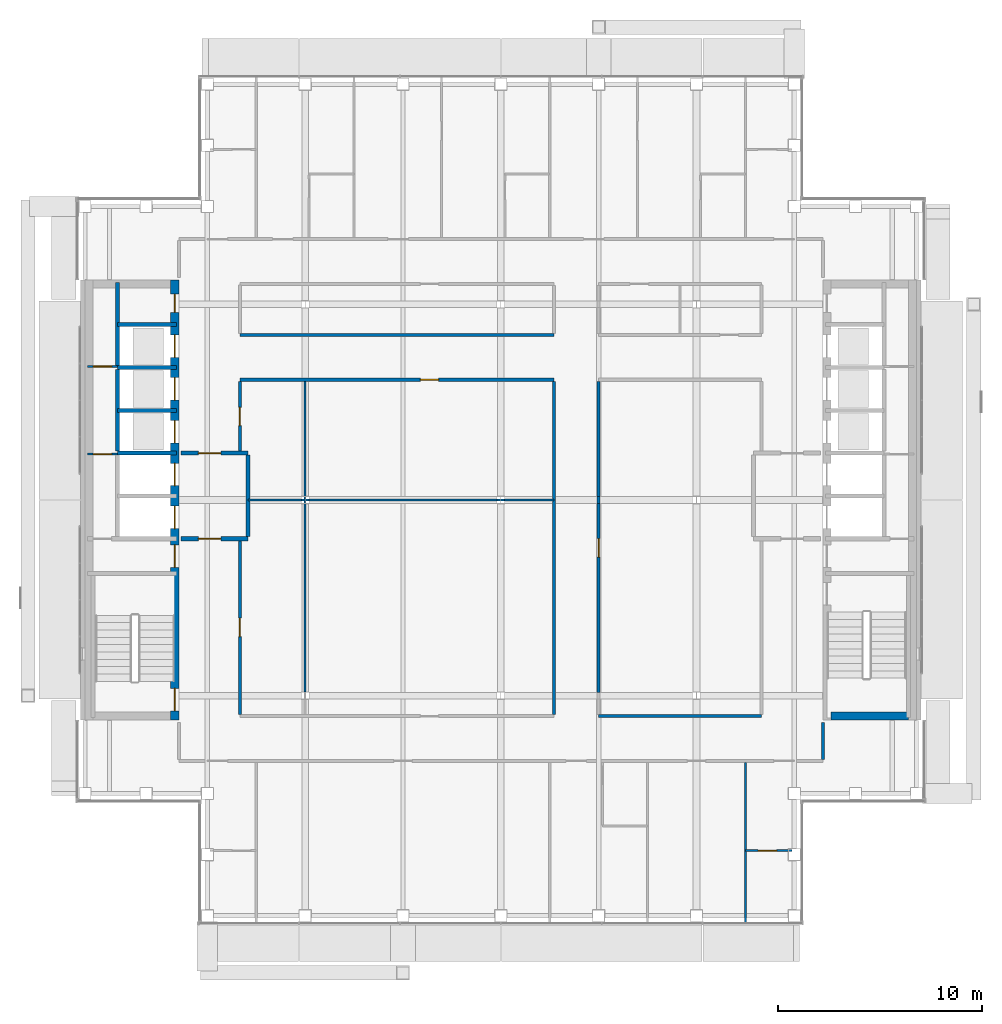
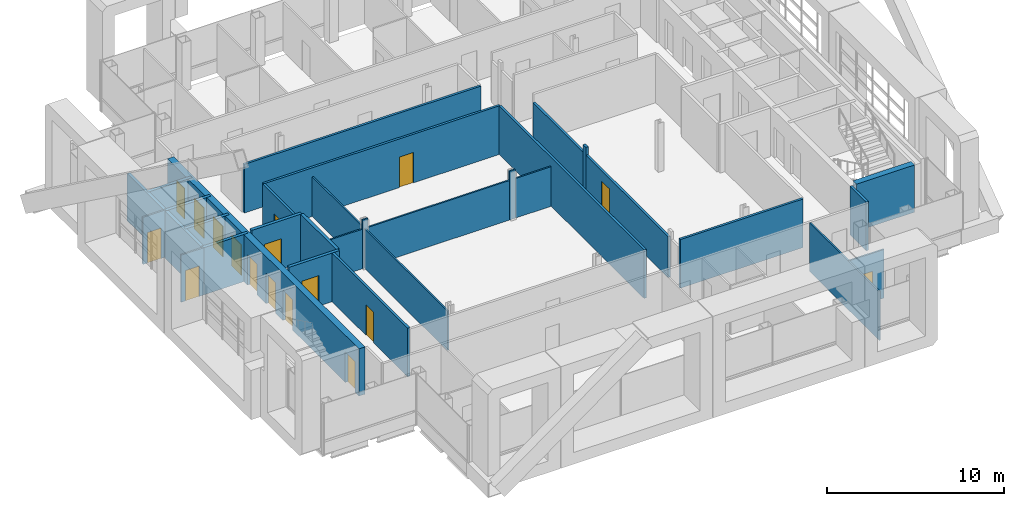
# One storey, part 12 of 23: 32 walls, 17 doors, 17 openings.
"""IFC4 building model written with IfcOpenShell, lengths in metres."""

from ifc_helpers import new_model, si_unit, direction, frame, frame_2d, origin, place, context, subcontext, project, spatial, rectangle, extrude, material, layer, layer_set, type_object, element, fill, save


model = new_model("IFC4")

# Units and contexts
model_context = context("Model", 3, precision=1e-05, world=origin(), true_north=direction((0.0, 1.0)))
body_context = subcontext(model_context, "Body", "Model", "MODEL_VIEW")
ifc_project = project(units=[si_unit("LENGTHUNIT", "METRE"), si_unit("AREAUNIT", "SQUARE_METRE"), si_unit("VOLUMEUNIT", "CUBIC_METRE"), si_unit("PLANEANGLEUNIT", "RADIAN"), si_unit("MASSUNIT", "GRAM", prefix="KILO")], contexts=[model_context])

# Site, building, storey
site_placement = place(None, origin())
site = spatial("IfcSite", under=ifc_project, at=site_placement, CompositionType="ELEMENT")
building_placement = place(site_placement, origin())
building = spatial("IfcBuilding", under=site, at=building_placement, Name="Cobrizo Arcos Hotel Tower", CompositionType="ELEMENT")
storey_placement = place(building_placement, frame((0.0, 0.0, 255.0)))
storey = spatial("IfcBuildingStorey", under=building, at=storey_placement, Name="L67", CompositionType="ELEMENT", Elevation=255.0)

# Wall
ifc_material_1 = material(Name="Gypsum board partition")
ifc_layer_1 = layer(ifc_material_1, 0.14990234375)
ifc_layer_set_1 = layer_set([ifc_layer_1], Name="Corridor wall EI 60 150")
wall_type_1 = type_object("IfcWallType", Name="Corridor wall EI 60 150", PredefinedType="PARTITIONING", material=ifc_layer_set_1)
wall_1_placement = place(storey_placement, frame((4.800048828125, -10.60009765625, 0.0), z_axis=(0.0, 0.0, 1.0), x_axis=(1.0, 0.0, 0.0)))
element("IfcWall", 1, at=wall_1_placement, inside=storey, type_object=wall_type_1, Name="Partition 006", PredefinedType="PARTITIONING", context=body_context, shape_type="SweptSolid", body=[
    extrude(rectangle(XDim=8.0, YDim=0.14990234375, at=frame_2d((4.0, 0.0))), origin(), (0.0, 0.0, 1.0), 3.35009765625),
])

# Wall, opening, door
wall_2_placement = place(storey_placement, frame((-12.800048828125, 5.89990234375, 0.0), z_axis=(0.0, 0.0, 1.0), x_axis=(1.0, 0.0, 0.0)))
wall_2 = element("IfcWall", 2, at=wall_2_placement, inside=storey, type_object=wall_type_1, Name="Partition 028", PredefinedType="PARTITIONING", context=body_context, shape_type="SweptSolid", body=[
    extrude(rectangle(XDim=15.400146484375, YDim=0.14990234375, at=frame_2d((7.7001953125, 0.0))), origin(), (0.0, 0.0, 1.0), 3.35009765625),
])
opening_1_placement = place(wall_2_placement, frame((8.85009765625, 0.0, 0.0)))
opening_1 = element("IfcOpeningElement", 3, at=opening_1_placement, cuts=wall_2, Name="Opening RD-15", PredefinedType="OPENING", context=body_context, shape_type="SweptSolid", body=[
    extrude(rectangle(XDim=0.89990234375, YDim=2.10009765625, at=frame_2d((0.449951171875, 1.050048828125))), frame((0.0, 0.0869140625, 0.0), z_axis=(0.0, -1.0, 0.0), x_axis=(1.0, 0.0, 0.0)), (0.0, 0.0, 1.0), 0.173828125),
])
ifc_material_2 = material(Name="Timber door leaf", Category="wood")
door_type_1 = type_object("IfcDoorType", Name="Room door FD30 900x2100", OperationType="SINGLE_SWING_LEFT", PredefinedType="DOOR", material=ifc_material_2)
door_1_placement = place(opening_1_placement, origin())
door_1 = element("IfcDoor", 4, at=door_1_placement, inside=storey, type_object=door_type_1, Name="Door RD-15", OperationType="SINGLE_SWING_RIGHT", OverallHeight=2.10009765625, OverallWidth=0.89990234375, PredefinedType="DOOR", context=body_context, shape_type="SweptSolid", body=[
    extrude(rectangle(XDim=0.89990234375, YDim=2.10009765625, at=frame_2d((0.449951171875, 1.050048828125))), frame((0.0, 0.02490234375, 0.0), z_axis=(0.0, -1.0, 0.0), x_axis=(1.0, 0.0, 0.0)), (0.0, 0.0, 1.0), 0.050048828125),
])
fill(opening_1, door_1)

# Wall
wall_3_placement = place(storey_placement, frame((-12.800048828125, 8.10009765625, 0.0), z_axis=(0.0, 0.0, 1.0), x_axis=(1.0, 0.0, 0.0)))
element("IfcWall", 5, at=wall_3_placement, inside=storey, type_object=wall_type_1, Name="Partition 034", PredefinedType="PARTITIONING", context=body_context, shape_type="SweptSolid", body=[
    extrude(rectangle(XDim=15.400146484375, YDim=0.14990234375, at=frame_2d((7.7001953125, 0.0))), origin(), (0.0, 0.0, 1.0), 3.35009765625),
])

# Wall, opening, door
wall_4_placement = place(storey_placement, frame((-12.800048828125, -10.52490234375, 0.0), z_axis=(0.0, 0.0, 1.0), x_axis=(0.0, 1.0, 0.0)))
wall_4 = element("IfcWall", 6, at=wall_4_placement, inside=storey, type_object=wall_type_1, Name="Partition 052", PredefinedType="PARTITIONING", context=body_context, shape_type="SweptSolid", body=[
    extrude(rectangle(XDim=8.52490234375, YDim=0.14990234375, at=frame_2d((4.262451171875, 0.0))), origin(), (0.0, 0.0, 1.0), 3.35009765625),
])
opening_2_placement = place(wall_4_placement, frame((3.824951171875, 0.0, 0.0)))
opening_2 = element("IfcOpeningElement", 7, at=opening_2_placement, cuts=wall_4, Name="Opening RD-13", PredefinedType="OPENING", context=body_context, shape_type="SweptSolid", body=[
    extrude(rectangle(XDim=0.89990234375, YDim=2.10009765625, at=frame_2d((0.449951171875, 1.050048828125))), frame((0.0, 0.0869140625, 0.0), z_axis=(0.0, -1.0, 0.0), x_axis=(1.0, 0.0, 0.0)), (0.0, 0.0, 1.0), 0.173828125),
])
door_2_placement = place(opening_2_placement, origin())
door_2 = element("IfcDoor", 8, at=door_2_placement, inside=storey, type_object=door_type_1, Name="Door RD-13", OperationType="SINGLE_SWING_LEFT", OverallHeight=2.10009765625, OverallWidth=0.89990234375, PredefinedType="DOOR", context=body_context, shape_type="SweptSolid", body=[
    extrude(rectangle(XDim=0.89990234375, YDim=2.10009765625, at=frame_2d((0.449951171875, 1.050048828125))), frame((0.0, 0.02490234375, 0.0), z_axis=(0.0, -1.0, 0.0), x_axis=(1.0, 0.0, 0.0)), (0.0, 0.0, 1.0), 0.050048828125),
])
fill(opening_2, door_2)

wall_5_placement = place(storey_placement, frame((-12.800048828125, 2.39990234375, 0.0), z_axis=(0.0, 0.0, 1.0), x_axis=(0.0, 1.0, 0.0)))
wall_5 = element("IfcWall", 9, at=wall_5_placement, inside=storey, type_object=wall_type_1, Name="Partition 053", PredefinedType="PARTITIONING", context=body_context, shape_type="SweptSolid", body=[
    extrude(rectangle(XDim=3.425048828125, YDim=0.14990234375, at=frame_2d((1.71240234375, 0.0))), origin(), (0.0, 0.0, 1.0), 3.35009765625),
])
opening_3_placement = place(wall_5_placement, frame((1.25, 0.0, 0.0)))
opening_3 = element("IfcOpeningElement", 10, at=opening_3_placement, cuts=wall_5, Name="Opening RD-12", PredefinedType="OPENING", context=body_context, shape_type="SweptSolid", body=[
    extrude(rectangle(XDim=0.89990234375, YDim=2.10009765625, at=frame_2d((0.449951171875, 1.050048828125))), frame((0.0, 0.0869140625, 0.0), z_axis=(0.0, -1.0, 0.0), x_axis=(1.0, 0.0, 0.0)), (0.0, 0.0, 1.0), 0.173828125),
])
door_3_placement = place(opening_3_placement, origin())
door_3 = element("IfcDoor", 11, at=door_3_placement, inside=storey, type_object=door_type_1, Name="Door RD-12", OperationType="SINGLE_SWING_RIGHT", OverallHeight=2.10009765625, OverallWidth=0.89990234375, PredefinedType="DOOR", context=body_context, shape_type="SweptSolid", body=[
    extrude(rectangle(XDim=0.89990234375, YDim=2.10009765625, at=frame_2d((0.449951171875, 1.050048828125))), frame((0.0, 0.02490234375, 0.0), z_axis=(0.0, -1.0, 0.0), x_axis=(1.0, 0.0, 0.0)), (0.0, 0.0, 1.0), 0.050048828125),
])
fill(opening_3, door_3)

# Wall
wall_6_placement = place(storey_placement, frame((2.60009765625, -10.52490234375, 0.0), z_axis=(0.0, 0.0, 1.0), x_axis=(0.0, 1.0, 0.0)))
element("IfcWall", 12, at=wall_6_placement, inside=storey, type_object=wall_type_1, Name="Partition 068", PredefinedType="PARTITIONING", context=body_context, shape_type="SweptSolid", body=[
    extrude(rectangle(XDim=16.349853515625, YDim=0.14990234375, at=frame_2d((8.1748046875, 0.0))), origin(), (0.0, 0.0, 1.0), 3.35009765625),
])

# Wall, opening, door
wall_7_placement = place(storey_placement, frame((4.800048828125, -9.43603515625, 0.0), z_axis=(0.0, 0.0, 1.0), x_axis=(0.0, 1.0, 0.0)))
wall_7 = element("IfcWall", 13, at=wall_7_placement, inside=storey, type_object=wall_type_1, Name="Partition 072", PredefinedType="PARTITIONING", context=body_context, shape_type="SweptSolid", body=[
    extrude(rectangle(XDim=9.27197265625, YDim=0.14990234375, at=frame_2d((4.635986328125, 0.0))), origin(), (0.0, 0.0, 1.0), 2.81689453125),
])
opening_4_placement = place(wall_7_placement, frame((6.635986328125, 0.0, 0.0)))
opening_4 = element("IfcOpeningElement", 14, at=opening_4_placement, cuts=wall_7, Name="Opening RD-17", PredefinedType="OPENING", context=body_context, shape_type="SweptSolid", body=[
    extrude(rectangle(XDim=0.89990234375, YDim=2.10009765625, at=frame_2d((0.449951171875, 1.050048828125))), frame((0.0, 0.0869140625, 0.0), z_axis=(0.0, -1.0, 0.0), x_axis=(1.0, 0.0, 0.0)), (0.0, 0.0, 1.0), 0.173828125),
])
door_4_placement = place(opening_4_placement, origin())
door_4 = element("IfcDoor", 15, at=door_4_placement, inside=storey, type_object=door_type_1, Name="Door RD-17", OperationType="SINGLE_SWING_RIGHT", OverallHeight=2.10009765625, OverallWidth=0.89990234375, PredefinedType="DOOR", context=body_context, shape_type="SweptSolid", body=[
    extrude(rectangle(XDim=0.89990234375, YDim=2.10009765625, at=frame_2d((0.449951171875, 1.050048828125))), frame((0.0, 0.02490234375, 0.0), z_axis=(0.0, -1.0, 0.0), x_axis=(1.0, 0.0, 0.0)), (0.0, 0.0, 1.0), 0.050048828125),
])
fill(opening_4, door_4)

# Walls
wall_8_placement = place(storey_placement, frame((4.800048828125, -0.1640625, 0.0), z_axis=(0.0, 0.0, 1.0), x_axis=(0.0, 1.0, 0.0)))
element("IfcWall", 16, at=wall_8_placement, inside=storey, type_object=wall_type_1, Name="Partition 073", PredefinedType="PARTITIONING", context=body_context, shape_type="SweptSolid", body=[
    extrude(rectangle(XDim=0.328125, YDim=0.14990234375, at=frame_2d((0.1640625, 0.0))), origin(), (0.0, 0.0, 1.0), 3.35009765625),
])
wall_9_placement = place(storey_placement, frame((4.800048828125, 0.1640625, 0.0), z_axis=(0.0, 0.0, 1.0), x_axis=(0.0, 1.0, 0.0)))
element("IfcWall", 17, at=wall_9_placement, inside=storey, type_object=wall_type_1, Name="Partition 074", PredefinedType="PARTITIONING", context=body_context, shape_type="SweptSolid", body=[
    extrude(rectangle(XDim=5.660888671875, YDim=0.14990234375, at=frame_2d((2.83056640625, 0.0))), origin(), (0.0, 0.0, 1.0), 2.81689453125),
])
wall_10_placement = place(storey_placement, frame((15.800048828125, -12.72509765625, 0.0), z_axis=(0.0, 0.0, 1.0), x_axis=(0.0, 1.0, 0.0)))
element("IfcWall", 18, at=wall_10_placement, inside=storey, type_object=wall_type_1, Name="Partition 089", PredefinedType="PARTITIONING", context=body_context, shape_type="SweptSolid", body=[
    extrude(rectangle(XDim=1.80517578125, YDim=0.14990234375, at=frame_2d((0.902587890625, 0.0))), origin(), (0.0, 0.0, 1.0), 3.35009765625),
])

# Wall, opening, door
ifc_layer_2 = layer(ifc_material_1, 0.10009765625)
ifc_layer_set_2 = layer_set([ifc_layer_2], Name="Partition EI 30 100")
wall_type_2 = type_object("IfcWallType", Name="Partition EI 30 100", PredefinedType="PARTITIONING", material=ifc_layer_set_2)
wall_11_placement = place(storey_placement, frame((12.0, -17.199951171875, 0.0), z_axis=(0.0, 0.0, 1.0), x_axis=(1.0, 0.0, 0.0)))
wall_11 = element("IfcWall", 19, at=wall_11_placement, inside=storey, type_object=wall_type_2, Name="Partition 002", PredefinedType="PARTITIONING", context=body_context, shape_type="SweptSolid", body=[
    extrude(rectangle(XDim=2.280029296875, YDim=0.10009765625, at=frame_2d((1.14013671875, 0.0))), origin(), (0.0, 0.0, 1.0), 3.35009765625),
])
opening_5_placement = place(wall_11_placement, frame((0.6298828125, 0.0, 0.0)))
opening_5 = element("IfcOpeningElement", 20, at=opening_5_placement, cuts=wall_11, Name="Opening ED-08", PredefinedType="OPENING", context=body_context, shape_type="SweptSolid", body=[
    extrude(rectangle(XDim=0.89990234375, YDim=2.10009765625, at=frame_2d((0.449951171875, 1.050048828125))), frame((0.0, 0.06201171875, 0.0), z_axis=(0.0, -1.0, 0.0), x_axis=(1.0, 0.0, 0.0)), (0.0, 0.0, 1.0), 0.1240234375),
])
door_type_2 = type_object("IfcDoorType", Name="En-suite door 900x2100", OperationType="SINGLE_SWING_LEFT", PredefinedType="DOOR", material=ifc_material_2)
door_5_placement = place(opening_5_placement, origin())
door_5 = element("IfcDoor", 21, at=door_5_placement, inside=storey, type_object=door_type_2, Name="Door ED-08", OperationType="SINGLE_SWING_LEFT", OverallHeight=2.10009765625, OverallWidth=0.89990234375, PredefinedType="DOOR", context=body_context, shape_type="SweptSolid", body=[
    extrude(rectangle(XDim=0.89990234375, YDim=2.10009765625, at=frame_2d((0.449951171875, 1.050048828125))), frame((0.0, 0.02490234375, 0.0), z_axis=(0.0, -1.0, 0.0), x_axis=(1.0, 0.0, 0.0)), (0.0, 0.0, 1.0), 0.050048828125),
])
fill(opening_5, door_5)

# Walls
wall_12_placement = place(storey_placement, frame((-12.39990234375, 0.0, 0.0), z_axis=(0.0, 0.0, 1.0), x_axis=(1.0, 0.0, 0.0)))
element("IfcWall", 22, at=wall_12_placement, inside=storey, type_object=wall_type_2, Name="Partition 013", PredefinedType="PARTITIONING", context=body_context, shape_type="SweptSolid", body=[
    extrude(rectangle(XDim=2.615966796875, YDim=0.10009765625, at=frame_2d((1.30810546875, 0.0))), origin(), (0.0, 0.0, 1.0), 2.72802734375),
])
wall_13_placement = place(storey_placement, frame((-9.783935546875, 0.0, 0.0), z_axis=(0.0, 0.0, 1.0), x_axis=(1.0, 0.0, 0.0)))
element("IfcWall", 23, at=wall_13_placement, inside=storey, type_object=wall_type_2, Name="Partition 014", PredefinedType="PARTITIONING", context=body_context, shape_type="SweptSolid", body=[
    extrude(rectangle(XDim=0.367919921875, YDim=0.10009765625, at=frame_2d((0.18408203125, 0.0))), origin(), (0.0, 0.0, 1.0), 3.35009765625),
])
wall_14_placement = place(storey_placement, frame((-9.416015625, 0.0, 0.0), z_axis=(0.0, 0.0, 1.0), x_axis=(1.0, 0.0, 0.0)))
element("IfcWall", 24, at=wall_14_placement, inside=storey, type_object=wall_type_2, Name="Partition 015", PredefinedType="PARTITIONING", context=body_context, shape_type="SweptSolid", body=[
    extrude(rectangle(XDim=9.23193359375, YDim=0.10009765625, at=frame_2d((4.615966796875, 0.0))), origin(), (0.0, 0.0, 1.0), 2.72802734375),
])
wall_15_placement = place(storey_placement, frame((-0.18408203125, 0.0, 0.0), z_axis=(0.0, 0.0, 1.0), x_axis=(1.0, 0.0, 0.0)))
element("IfcWall", 25, at=wall_15_placement, inside=storey, type_object=wall_type_2, Name="Partition 016", PredefinedType="PARTITIONING", context=body_context, shape_type="SweptSolid", body=[
    extrude(rectangle(XDim=0.3681640625, YDim=0.10009765625, at=frame_2d((0.18408203125, 0.0))), origin(), (0.0, 0.0, 1.0), 3.35009765625),
])
wall_16_placement = place(storey_placement, frame((0.18408203125, 0.0, 0.0), z_axis=(0.0, 0.0, 1.0), x_axis=(1.0, 0.0, 0.0)))
element("IfcWall", 26, at=wall_16_placement, inside=storey, type_object=wall_type_2, Name="Partition 017", PredefinedType="PARTITIONING", context=body_context, shape_type="SweptSolid", body=[
    extrude(rectangle(XDim=2.416015625, YDim=0.10009765625, at=frame_2d((1.2080078125, 0.0))), origin(), (0.0, 0.0, 1.0), 2.72802734375),
])

# Wall, opening, door
wall_17_placement = place(storey_placement, frame((-20.280029296875, 2.25, 0.0), z_axis=(0.0, 0.0, 1.0), x_axis=(1.0, 0.0, 0.0)))
wall_17 = element("IfcWall", 27, at=wall_17_placement, inside=storey, type_object=wall_type_2, Name="Partition 020", PredefinedType="PARTITIONING", context=body_context, shape_type="SweptSolid", body=[
    extrude(rectangle(XDim=1.47998046875, YDim=0.10009765625, at=frame_2d((0.739990234375, 0.0))), origin(), (0.0, 0.0, 1.0), 3.25),
])
opening_6_placement = place(wall_17_placement, frame((0.280029296875, 0.0, 0.0)))
opening_6 = element("IfcOpeningElement", 28, at=opening_6_placement, cuts=wall_17, Name="Opening RD-02", PredefinedType="OPENING", context=body_context, shape_type="SweptSolid", body=[
    extrude(rectangle(XDim=0.89990234375, YDim=2.10009765625, at=frame_2d((0.449951171875, 1.050048828125))), frame((0.0, 0.06201171875, 0.0), z_axis=(0.0, -1.0, 0.0), x_axis=(1.0, 0.0, 0.0)), (0.0, 0.0, 1.0), 0.1240234375),
])
door_6_placement = place(opening_6_placement, origin())
door_6 = element("IfcDoor", 29, at=door_6_placement, inside=storey, type_object=door_type_1, Name="Door RD-02", OperationType="SINGLE_SWING_LEFT", OverallHeight=2.10009765625, OverallWidth=0.89990234375, PredefinedType="DOOR", context=body_context, shape_type="SweptSolid", body=[
    extrude(rectangle(XDim=0.89990234375, YDim=2.10009765625, at=frame_2d((0.449951171875, 1.050048828125))), frame((0.0, 0.02490234375, 0.0), z_axis=(0.0, -1.0, 0.0), x_axis=(1.0, 0.0, 0.0)), (0.0, 0.0, 1.0), 0.050048828125),
])
fill(opening_6, door_6)

wall_18_placement = place(storey_placement, frame((-20.280029296875, 6.550048828125, 0.0), z_axis=(0.0, 0.0, 1.0), x_axis=(1.0, 0.0, 0.0)))
wall_18 = element("IfcWall", 30, at=wall_18_placement, inside=storey, type_object=wall_type_2, Name="Partition 032", PredefinedType="PARTITIONING", context=body_context, shape_type="SweptSolid", body=[
    extrude(rectangle(XDim=1.47998046875, YDim=0.10009765625, at=frame_2d((0.739990234375, 0.0))), origin(), (0.0, 0.0, 1.0), 3.25),
])
opening_7_placement = place(wall_18_placement, frame((0.280029296875, 0.0, 0.0)))
opening_7 = element("IfcOpeningElement", 31, at=opening_7_placement, cuts=wall_18, Name="Opening RD-03", PredefinedType="OPENING", context=body_context, shape_type="SweptSolid", body=[
    extrude(rectangle(XDim=0.89990234375, YDim=2.10009765625, at=frame_2d((0.449951171875, 1.050048828125))), frame((0.0, 0.06201171875, 0.0), z_axis=(0.0, -1.0, 0.0), x_axis=(1.0, 0.0, 0.0)), (0.0, 0.0, 1.0), 0.1240234375),
])
door_7_placement = place(opening_7_placement, origin())
door_7 = element("IfcDoor", 32, at=door_7_placement, inside=storey, type_object=door_type_1, Name="Door RD-03", OperationType="SINGLE_SWING_LEFT", OverallHeight=2.10009765625, OverallWidth=0.89990234375, PredefinedType="DOOR", context=body_context, shape_type="SweptSolid", body=[
    extrude(rectangle(XDim=0.89990234375, YDim=2.10009765625, at=frame_2d((0.449951171875, 1.050048828125))), frame((0.0, 0.02490234375, 0.0), z_axis=(0.0, -1.0, 0.0), x_axis=(1.0, 0.0, 0.0)), (0.0, 0.0, 1.0), 0.050048828125),
])
fill(opening_7, door_7)

# Walls
wall_19_placement = place(storey_placement, frame((-9.60009765625, -9.416015625, 0.0), z_axis=(0.0, 0.0, 1.0), x_axis=(0.0, 1.0, 0.0)))
element("IfcWall", 33, at=wall_19_placement, inside=storey, type_object=wall_type_2, Name="Partition 060", PredefinedType="PARTITIONING", context=body_context, shape_type="SweptSolid", body=[
    extrude(rectangle(XDim=9.365966796875, YDim=0.10009765625, at=frame_2d((4.68310546875, 0.0))), origin(), (0.0, 0.0, 1.0), 2.72802734375),
])
wall_20_placement = place(storey_placement, frame((-9.60009765625, 0.050048828125, 0.0), z_axis=(0.0, 0.0, 1.0), x_axis=(0.0, 1.0, 0.0)))
element("IfcWall", 34, at=wall_20_placement, inside=storey, type_object=wall_type_2, Name="Partition 061", PredefinedType="PARTITIONING", context=body_context, shape_type="SweptSolid", body=[
    extrude(rectangle(XDim=5.77490234375, YDim=0.10009765625, at=frame_2d((2.887451171875, 0.0))), origin(), (0.0, 0.0, 1.0), 2.72802734375),
])
wall_21_placement = place(storey_placement, frame((12.0, -20.72998046875, 0.0), z_axis=(0.0, 0.0, 1.0), x_axis=(0.0, 1.0, 0.0)))
element("IfcWall", 35, at=wall_21_placement, inside=storey, type_object=wall_type_2, Name="Partition 083", PredefinedType="PARTITIONING", context=body_context, shape_type="SweptSolid", body=[
    extrude(rectangle(XDim=7.85498046875, YDim=0.10009765625, at=frame_2d((3.927490234375, 0.0))), origin(), (0.0, 0.0, 1.0), 3.35009765625),
])
ifc_material_3 = material(Name="Concrete f'c 40 MPa", Category="concrete")
ifc_layer_3 = layer(ifc_material_3, 0.39990234375)
ifc_layer_set_3 = layer_set([ifc_layer_3], Name="RC core wall 400 f'c 40")
wall_type_3 = type_object("IfcWallType", Name="RC core wall 400 f'c 40", PredefinedType="SHEAR", material=ifc_layer_set_3)
wall_22_placement = place(storey_placement, frame((16.199951171875, -10.60009765625, 0.0), z_axis=(0.0, 0.0, 1.0), x_axis=(1.0, 0.0, 0.0)))
element("IfcWall", 36, at=wall_22_placement, inside=storey, type_object=wall_type_3, Name="Core wall CW4, east core, south end, L67", PredefinedType="SHEAR", context=body_context, shape_type="SweptSolid", body=[
    extrude(rectangle(XDim=3.800048828125, YDim=0.39990234375, at=frame_2d((1.89990234375, 0.0))), origin(), (0.0, 0.0, 1.0), 3.25),
])

# Wall, openings, doors
wall_23_placement = place(storey_placement, frame((-16.0, -10.800048828125, 0.0), z_axis=(0.0, 0.0, 1.0), x_axis=(0.0, 1.0, 0.0)))
wall_23 = element("IfcWall", 37, at=wall_23_placement, inside=storey, type_object=wall_type_3, Name="Core wall CW4, west core, inner face, L67", PredefinedType="SHEAR", context=body_context, shape_type="SweptSolid", body=[
    extrude(rectangle(XDim=21.60009765625, YDim=0.39990234375, at=frame_2d((10.800048828125, 0.0))), origin(), (0.0, 0.0, 1.0), 3.25),
])
opening_8_placement = place(wall_23_placement, frame((9.39990234375, 0.0, 0.0)))
opening_8 = element("IfcOpeningElement", 38, at=opening_8_placement, cuts=wall_23, Name="Opening LD-01", PredefinedType="OPENING", context=body_context, shape_type="SweptSolid", body=[
    extrude(rectangle(XDim=1.10009765625, YDim=2.10009765625, at=frame_2d((0.550048828125, 1.050048828125))), frame((0.0, 0.2119140625, 0.0), z_axis=(0.0, -1.0, 0.0), x_axis=(1.0, 0.0, 0.0)), (0.0, 0.0, 1.0), 0.423828125),
])
opening_9_placement = place(wall_23_placement, frame((11.5, 0.0, 0.0)))
opening_9 = element("IfcOpeningElement", 39, at=opening_9_placement, cuts=wall_23, Name="Opening LD-02", PredefinedType="OPENING", context=body_context, shape_type="SweptSolid", body=[
    extrude(rectangle(XDim=1.10009765625, YDim=2.10009765625, at=frame_2d((0.550048828125, 1.050048828125))), frame((0.0, 0.2119140625, 0.0), z_axis=(0.0, -1.0, 0.0), x_axis=(1.0, 0.0, 0.0)), (0.0, 0.0, 1.0), 0.423828125),
])
opening_10_placement = place(wall_23_placement, frame((13.60009765625, 0.0, 0.0)))
opening_10 = element("IfcOpeningElement", 40, at=opening_10_placement, cuts=wall_23, Name="Opening LD-03", PredefinedType="OPENING", context=body_context, shape_type="SweptSolid", body=[
    extrude(rectangle(XDim=1.10009765625, YDim=2.10009765625, at=frame_2d((0.550048828125, 1.050048828125))), frame((0.0, 0.2119140625, 0.0), z_axis=(0.0, -1.0, 0.0), x_axis=(1.0, 0.0, 0.0)), (0.0, 0.0, 1.0), 0.423828125),
])
opening_11_placement = place(wall_23_placement, frame((15.699951171875, 0.0, 0.0)))
opening_11 = element("IfcOpeningElement", 41, at=opening_11_placement, cuts=wall_23, Name="Opening LD-04", PredefinedType="OPENING", context=body_context, shape_type="SweptSolid", body=[
    extrude(rectangle(XDim=1.10009765625, YDim=2.10009765625, at=frame_2d((0.550048828125, 1.050048828125))), frame((0.0, 0.2119140625, 0.0), z_axis=(0.0, -1.0, 0.0), x_axis=(1.0, 0.0, 0.0)), (0.0, 0.0, 1.0), 0.423828125),
])
opening_12_placement = place(wall_23_placement, frame((17.800048828125, 0.0, 0.0)))
opening_12 = element("IfcOpeningElement", 42, at=opening_12_placement, cuts=wall_23, Name="Opening LD-05", PredefinedType="OPENING", context=body_context, shape_type="SweptSolid", body=[
    extrude(rectangle(XDim=1.10009765625, YDim=2.10009765625, at=frame_2d((0.550048828125, 1.050048828125))), frame((0.0, 0.2119140625, 0.0), z_axis=(0.0, -1.0, 0.0), x_axis=(1.0, 0.0, 0.0)), (0.0, 0.0, 1.0), 0.423828125),
])
opening_13_placement = place(wall_23_placement, frame((0.4580078125, 0.0, 0.0)))
opening_13 = element("IfcOpeningElement", 43, at=opening_13_placement, cuts=wall_23, Name="Opening SD-01", PredefinedType="OPENING", context=body_context, shape_type="SweptSolid", body=[
    extrude(rectangle(XDim=1.10009765625, YDim=2.10009765625, at=frame_2d((0.550048828125, 1.050048828125))), frame((0.0, 0.2119140625, 0.0), z_axis=(0.0, -1.0, 0.0), x_axis=(1.0, 0.0, 0.0)), (0.0, 0.0, 1.0), 0.423828125),
])
opening_14_placement = place(wall_23_placement, frame((7.5, 0.0, 0.0)))
opening_14 = element("IfcOpeningElement", 44, at=opening_14_placement, cuts=wall_23, Name="Opening FD-01", PredefinedType="OPENING", context=body_context, shape_type="SweptSolid", body=[
    extrude(rectangle(XDim=1.10009765625, YDim=2.10009765625, at=frame_2d((0.550048828125, 1.050048828125))), frame((0.0, 0.2119140625, 0.0), z_axis=(0.0, -1.0, 0.0), x_axis=(1.0, 0.0, 0.0)), (0.0, 0.0, 1.0), 0.423828125),
])
opening_15_placement = place(wall_23_placement, frame((20.0, 0.0, 0.0)))
opening_15 = element("IfcOpeningElement", 45, at=opening_15_placement, cuts=wall_23, Name="Opening ED-01", PredefinedType="OPENING", context=body_context, shape_type="SweptSolid", body=[
    extrude(rectangle(XDim=0.89990234375, YDim=2.10009765625, at=frame_2d((0.449951171875, 1.050048828125))), frame((0.0, 0.2119140625, 0.0), z_axis=(0.0, -1.0, 0.0), x_axis=(1.0, 0.0, 0.0)), (0.0, 0.0, 1.0), 0.423828125),
])
door_8_placement = place(opening_15_placement, origin())
door_8 = element("IfcDoor", 46, at=door_8_placement, inside=storey, type_object=door_type_2, Name="Door ED-01", OperationType="SINGLE_SWING_RIGHT", OverallHeight=2.10009765625, OverallWidth=0.89990234375, PredefinedType="DOOR", context=body_context, shape_type="SweptSolid", body=[
    extrude(rectangle(XDim=0.89990234375, YDim=2.10009765625, at=frame_2d((0.449951171875, 1.050048828125))), frame((0.0, 0.02490234375, 0.0), z_axis=(0.0, -1.0, 0.0), x_axis=(1.0, 0.0, 0.0)), (0.0, 0.0, 1.0), 0.050048828125),
])
fill(opening_15, door_8)
ifc_material_4 = material(Name="Steel door leaf", Category="steel")
door_type_3 = type_object("IfcDoorType", Name="Fire door FD60 1100x2100", OperationType="SINGLE_SWING_LEFT", PredefinedType="DOOR", material=ifc_material_4)
door_9_placement = place(opening_14_placement, origin())
door_9 = element("IfcDoor", 47, at=door_9_placement, inside=storey, type_object=door_type_3, Name="Door FD-01", OperationType="SINGLE_SWING_LEFT", OverallHeight=2.10009765625, OverallWidth=1.10009765625, PredefinedType="DOOR", context=body_context, shape_type="SweptSolid", body=[
    extrude(rectangle(XDim=1.10009765625, YDim=2.10009765625, at=frame_2d((0.550048828125, 1.050048828125))), frame((0.0, 0.02490234375, 0.0), z_axis=(0.0, -1.0, 0.0), x_axis=(1.0, 0.0, 0.0)), (0.0, 0.0, 1.0), 0.050048828125),
])
fill(opening_14, door_9)
door_type_4 = type_object("IfcDoorType", Name="Lift landing door 1100x2100", OperationType="SLIDING_TO_LEFT", PredefinedType="DOOR", material=ifc_material_4)
door_10_placement = place(opening_8_placement, origin())
door_10 = element("IfcDoor", 48, at=door_10_placement, inside=storey, type_object=door_type_4, Name="Lift landing door LD-01", OperationType="SLIDING_TO_LEFT", OverallHeight=2.10009765625, OverallWidth=1.10009765625, PredefinedType="DOOR", context=body_context, shape_type="SweptSolid", body=[
    extrude(rectangle(XDim=1.10009765625, YDim=2.10009765625, at=frame_2d((0.550048828125, 1.050048828125))), frame((0.0, 0.02490234375, 0.0), z_axis=(0.0, -1.0, 0.0), x_axis=(1.0, 0.0, 0.0)), (0.0, 0.0, 1.0), 0.050048828125),
])
fill(opening_8, door_10)
door_11_placement = place(opening_9_placement, origin())
door_11 = element("IfcDoor", 49, at=door_11_placement, inside=storey, type_object=door_type_4, Name="Lift landing door LD-02", OperationType="SLIDING_TO_LEFT", OverallHeight=2.10009765625, OverallWidth=1.10009765625, PredefinedType="DOOR", context=body_context, shape_type="SweptSolid", body=[
    extrude(rectangle(XDim=1.10009765625, YDim=2.10009765625, at=frame_2d((0.550048828125, 1.050048828125))), frame((0.0, 0.02490234375, 0.0), z_axis=(0.0, -1.0, 0.0), x_axis=(1.0, 0.0, 0.0)), (0.0, 0.0, 1.0), 0.050048828125),
])
fill(opening_9, door_11)
door_12_placement = place(opening_10_placement, origin())
door_12 = element("IfcDoor", 50, at=door_12_placement, inside=storey, type_object=door_type_4, Name="Lift landing door LD-03", OperationType="SLIDING_TO_LEFT", OverallHeight=2.10009765625, OverallWidth=1.10009765625, PredefinedType="DOOR", context=body_context, shape_type="SweptSolid", body=[
    extrude(rectangle(XDim=1.10009765625, YDim=2.10009765625, at=frame_2d((0.550048828125, 1.050048828125))), frame((0.0, 0.02490234375, 0.0), z_axis=(0.0, -1.0, 0.0), x_axis=(1.0, 0.0, 0.0)), (0.0, 0.0, 1.0), 0.050048828125),
])
fill(opening_10, door_12)
door_13_placement = place(opening_11_placement, origin())
door_13 = element("IfcDoor", 51, at=door_13_placement, inside=storey, type_object=door_type_4, Name="Lift landing door LD-04", OperationType="SLIDING_TO_LEFT", OverallHeight=2.10009765625, OverallWidth=1.10009765625, PredefinedType="DOOR", context=body_context, shape_type="SweptSolid", body=[
    extrude(rectangle(XDim=1.10009765625, YDim=2.10009765625, at=frame_2d((0.550048828125, 1.050048828125))), frame((0.0, 0.02490234375, 0.0), z_axis=(0.0, -1.0, 0.0), x_axis=(1.0, 0.0, 0.0)), (0.0, 0.0, 1.0), 0.050048828125),
])
fill(opening_11, door_13)
door_14_placement = place(opening_12_placement, origin())
door_14 = element("IfcDoor", 52, at=door_14_placement, inside=storey, type_object=door_type_4, Name="Lift landing door LD-05", OperationType="SLIDING_TO_LEFT", OverallHeight=2.10009765625, OverallWidth=1.10009765625, PredefinedType="DOOR", context=body_context, shape_type="SweptSolid", body=[
    extrude(rectangle(XDim=1.10009765625, YDim=2.10009765625, at=frame_2d((0.550048828125, 1.050048828125))), frame((0.0, 0.02490234375, 0.0), z_axis=(0.0, -1.0, 0.0), x_axis=(1.0, 0.0, 0.0)), (0.0, 0.0, 1.0), 0.050048828125),
])
fill(opening_12, door_14)
door_type_5 = type_object("IfcDoorType", Name="Stair door FD60S 1100x2100", OperationType="SINGLE_SWING_LEFT", PredefinedType="DOOR", material=ifc_material_4)
door_15_placement = place(opening_13_placement, origin())
door_15 = element("IfcDoor", 53, at=door_15_placement, inside=storey, type_object=door_type_5, Name="Door SD-01", OperationType="SINGLE_SWING_LEFT", OverallHeight=2.10009765625, OverallWidth=1.10009765625, PredefinedType="DOOR", context=body_context, shape_type="SweptSolid", body=[
    extrude(rectangle(XDim=1.10009765625, YDim=2.10009765625, at=frame_2d((0.550048828125, 1.050048828125))), frame((0.0, 0.02490234375, 0.0), z_axis=(0.0, -1.0, 0.0), x_axis=(1.0, 0.0, 0.0)), (0.0, 0.0, 1.0), 0.050048828125),
])
fill(opening_13, door_15)

# Wall, opening, door
ifc_layer_4 = layer(ifc_material_1, 0.199951171875)
ifc_layer_set_4 = layer_set([ifc_layer_4], Name="Shaft wall EI 120 200")
wall_type_4 = type_object("IfcWallType", Name="Shaft wall EI 120 200", PredefinedType="PARTITIONING", material=ifc_layer_set_4)
wall_24_placement = place(storey_placement, frame((-15.679931640625, -1.89990234375, 0.0), z_axis=(0.0, 0.0, 1.0), x_axis=(1.0, 0.0, 0.0)))
wall_24 = element("IfcWall", 54, at=wall_24_placement, inside=storey, type_object=wall_type_4, Name="Partition 010", PredefinedType="PARTITIONING", context=body_context, shape_type="SweptSolid", body=[
    extrude(rectangle(XDim=3.280029296875, YDim=0.199951171875, at=frame_2d((1.64013671875, 0.0))), origin(), (0.0, 0.0, 1.0), 3.35009765625),
])
opening_16_placement = place(wall_24_placement, frame((0.840087890625, 0.0, 0.0)))
opening_16 = element("IfcOpeningElement", 55, at=opening_16_placement, cuts=wall_24, Name="Opening FD-03", PredefinedType="OPENING", context=body_context, shape_type="SweptSolid", body=[
    extrude(rectangle(XDim=1.10009765625, YDim=2.10009765625, at=frame_2d((0.550048828125, 1.050048828125))), frame((0.0, 0.112060546875, 0.0), z_axis=(0.0, -1.0, 0.0), x_axis=(1.0, 0.0, 0.0)), (0.0, 0.0, 1.0), 0.223876953125),
])
door_16_placement = place(opening_16_placement, origin())
door_16 = element("IfcDoor", 56, at=door_16_placement, inside=storey, type_object=door_type_3, Name="Door FD-03", OperationType="SINGLE_SWING_LEFT", OverallHeight=2.10009765625, OverallWidth=1.10009765625, PredefinedType="DOOR", context=body_context, shape_type="SweptSolid", body=[
    extrude(rectangle(XDim=1.10009765625, YDim=2.10009765625, at=frame_2d((0.550048828125, 1.050048828125))), frame((0.0, 0.02490234375, 0.0), z_axis=(0.0, -1.0, 0.0), x_axis=(1.0, 0.0, 0.0)), (0.0, 0.0, 1.0), 0.050048828125),
])
fill(opening_16, door_16)

# Wall
wall_25_placement = place(storey_placement, frame((-18.800048828125, 2.300048828125, 0.0), z_axis=(0.0, 0.0, 1.0), x_axis=(1.0, 0.0, 0.0)))
element("IfcWall", 57, at=wall_25_placement, inside=storey, type_object=wall_type_4, Name="Partition 022", PredefinedType="PARTITIONING", context=body_context, shape_type="SweptSolid", body=[
    extrude(rectangle(XDim=2.880126953125, YDim=0.199951171875, at=frame_2d((1.43994140625, 0.0))), origin(), (0.0, 0.0, 1.0), 3.25),
])

# Wall, opening, door
wall_26_placement = place(storey_placement, frame((-15.679931640625, 2.300048828125, 0.0), z_axis=(0.0, 0.0, 1.0), x_axis=(1.0, 0.0, 0.0)))
wall_26 = element("IfcWall", 58, at=wall_26_placement, inside=storey, type_object=wall_type_4, Name="Partition 023", PredefinedType="PARTITIONING", context=body_context, shape_type="SweptSolid", body=[
    extrude(rectangle(XDim=3.280029296875, YDim=0.199951171875, at=frame_2d((1.64013671875, 0.0))), origin(), (0.0, 0.0, 1.0), 3.35009765625),
])
opening_17_placement = place(wall_26_placement, frame((0.840087890625, 0.0, 0.0)))
opening_17 = element("IfcOpeningElement", 59, at=opening_17_placement, cuts=wall_26, Name="Opening FD-02", PredefinedType="OPENING", context=body_context, shape_type="SweptSolid", body=[
    extrude(rectangle(XDim=1.10009765625, YDim=2.10009765625, at=frame_2d((0.550048828125, 1.050048828125))), frame((0.0, 0.112060546875, 0.0), z_axis=(0.0, -1.0, 0.0), x_axis=(1.0, 0.0, 0.0)), (0.0, 0.0, 1.0), 0.223876953125),
])
door_17_placement = place(opening_17_placement, origin())
door_17 = element("IfcDoor", 60, at=door_17_placement, inside=storey, type_object=door_type_3, Name="Door FD-02", OperationType="SINGLE_SWING_LEFT", OverallHeight=2.10009765625, OverallWidth=1.10009765625, PredefinedType="DOOR", context=body_context, shape_type="SweptSolid", body=[
    extrude(rectangle(XDim=1.10009765625, YDim=2.10009765625, at=frame_2d((0.550048828125, 1.050048828125))), frame((0.0, 0.02490234375, 0.0), z_axis=(0.0, -1.0, 0.0), x_axis=(1.0, 0.0, 0.0)), (0.0, 0.0, 1.0), 0.050048828125),
])
fill(opening_17, door_17)

# Walls
for number, where, z_axis, x_axis, name in (
    (61, (-18.800048828125, 4.39990234375, 0.0), (0.0, 0.0, 1.0), (1.0, 0.0, 0.0), "Partition 026"),
    (62, (-18.800048828125, 6.5, 0.0), (0.0, 0.0, 1.0), (1.0, 0.0, 0.0), "Partition 030"),
    (63, (-18.800048828125, 8.60009765625, 0.0), (0.0, 0.0, 1.0), (1.0, 0.0, 0.0), "Partition 036"),
):
    element("IfcWall", number, at=place(storey_placement, frame(where, z_axis=z_axis, x_axis=x_axis)), inside=storey, type_object=wall_type_4, Name=name, PredefinedType="PARTITIONING", context=body_context, shape_type="SweptSolid", body=[
        extrude(rectangle(XDim=2.880126953125, YDim=0.199951171875, at=frame_2d((1.43994140625, 0.0))), origin(), (0.0, 0.0, 1.0), 3.25),
    ])
wall_27_placement = place(storey_placement, frame((-18.800048828125, 2.39990234375, 0.0), z_axis=(0.0, 0.0, 1.0), x_axis=(0.0, 1.0, 0.0)))
element("IfcWall", 64, at=wall_27_placement, inside=storey, type_object=wall_type_4, Name="Partition 048", PredefinedType="PARTITIONING", context=body_context, shape_type="SweptSolid", body=[
    extrude(rectangle(XDim=4.0, YDim=0.199951171875, at=frame_2d((2.0, 0.0))), origin(), (0.0, 0.0, 1.0), 3.25),
])
wall_28_placement = place(storey_placement, frame((-18.800048828125, 6.60009765625, 0.0), z_axis=(0.0, 0.0, 1.0), x_axis=(0.0, 1.0, 0.0)))
element("IfcWall", 65, at=wall_28_placement, inside=storey, type_object=wall_type_4, Name="Partition 049", PredefinedType="PARTITIONING", context=body_context, shape_type="SweptSolid", body=[
    extrude(rectangle(XDim=4.079833984375, YDim=0.199951171875, at=frame_2d((2.0400390625, 0.0))), origin(), (0.0, 0.0, 1.0), 3.25),
])
wall_29_placement = place(storey_placement, frame((-12.39990234375, -1.800048828125, 0.0), z_axis=(0.0, 0.0, 1.0), x_axis=(0.0, 1.0, 0.0)))
element("IfcWall", 66, at=wall_29_placement, inside=storey, type_object=wall_type_4, Name="Partition 055", PredefinedType="PARTITIONING", context=body_context, shape_type="SweptSolid", body=[
    extrude(rectangle(XDim=4.0, YDim=0.199951171875, at=frame_2d((2.0, 0.0))), origin(), (0.0, 0.0, 1.0), 3.35009765625),
])

save(model, "model.ifc")
